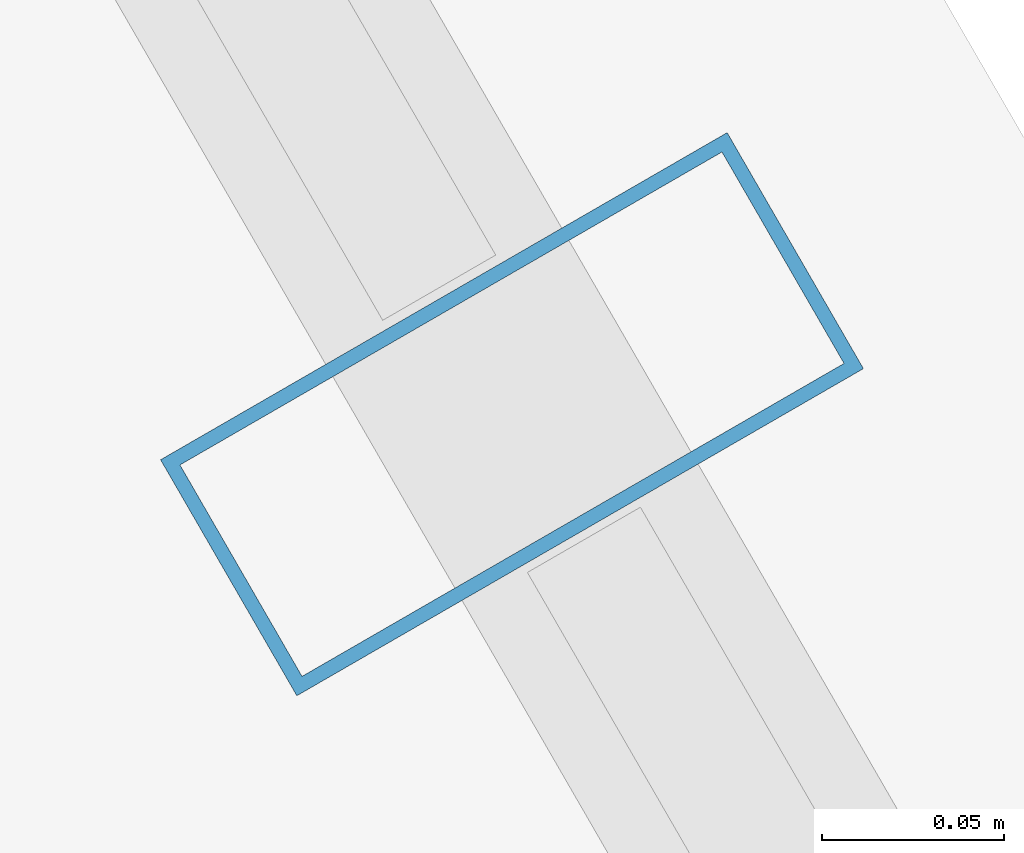
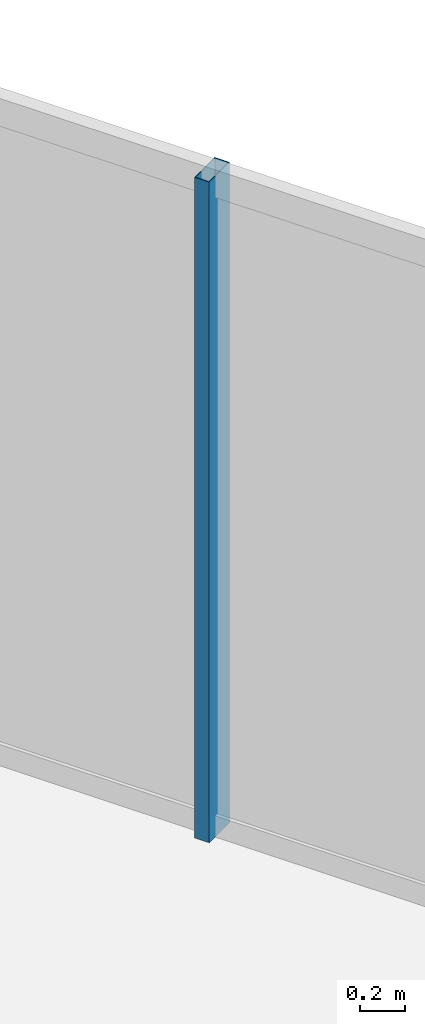
# One storey, part 20 of 33: 1 member, 1 element without a shape of its own.
"""IFC4 building model written with IfcOpenShell, lengths in metres."""

import ifcopenshell
import ifcopenshell.guid

model = None  # the IFC model being written
_history = None  # IfcOwnerHistory: only IFC2X3 demands one
_inside = {}  # id of a spatial element -> (the spatial element, [elements in it])
_under = {}  # id of a project, library or spatial element -> (it, [spatial elements below it])
_declared = {}  # id of a project -> (the project, [libraries it declares])
_typed = {}  # id of a type object -> (the type object, [elements of that type])
_made_of = {}  # id of a material, layer set ... -> (it, [elements and type objects made of it])


def new_model(schema):
    """Start an empty IFC model of exactly this schema.

    Asked for "IFC4X3", IfcOpenShell would pick the latest addendum, in which some entities
    have other attributes; the version numbers below select the first issue.
    IFC2X3 requires an IfcOwnerHistory on every rooted entity: one is made here for all.
    """
    global model, _history
    if schema == "IFC4X3":
        model = ifcopenshell.file(schema_version=(4, 3, 0, 0))
    else:
        model = ifcopenshell.file(schema=schema)
    _inside.clear()
    _under.clear()
    _declared.clear()
    _typed.clear()
    _made_of.clear()
    _history = None
    if model.schema == "IFC2X3":
        org = make("IfcOrganization", Name="unknown")
        user = make(
            "IfcPersonAndOrganization",
            ThePerson=make("IfcPerson", FamilyName="unknown"),
            TheOrganization=org,
        )
        app = make(
            "IfcApplication",
            ApplicationDeveloper=org,
            Version="unknown",
            ApplicationFullName="unknown",
            ApplicationIdentifier="unknown",
        )
        _history = make(
            "IfcOwnerHistory",
            OwningUser=user,
            OwningApplication=app,
            ChangeAction="ADDED",
            CreationDate=0,
        )
    return model


def make(cls, **values):
    """One entity of the class cls with the attributes given. An attribute that is None is left unset."""
    return model.create_entity(
        cls, **{name: value for name, value in values.items() if value is not None}
    )


def rooted(cls, **values):
    """An entity with a GlobalId (a new one), such as an element, a storey or a relation."""
    return make(cls, GlobalId=ifcopenshell.guid.new(), OwnerHistory=_history, **values)


def si_unit(unit_type, name, prefix=None):
    """IfcSIUnit, for example si_unit("LENGTHUNIT", "METRE", prefix="MILLI")."""
    return make("IfcSIUnit", UnitType=unit_type, Prefix=prefix, Name=name)


def assignment(units):
    """IfcUnitAssignment: the units of a project."""
    return None if units is None else make("IfcUnitAssignment", Units=units)


def point(xyz):
    """IfcCartesianPoint."""
    return None if xyz is None else make("IfcCartesianPoint", Coordinates=xyz)


def direction(xyz):
    """IfcDirection."""
    return None if xyz is None else make("IfcDirection", DirectionRatios=xyz)


def frame(location, z_axis=None, x_axis=None):
    """IfcAxis2Placement3D, a coordinate frame: its origin and axes. An axis left out is left unset."""
    return make(
        "IfcAxis2Placement3D",
        Location=point(location),
        Axis=direction(z_axis),
        RefDirection=direction(x_axis),
    )


def frame_2d(location, x_axis=None):
    """IfcAxis2Placement2D, a coordinate frame in the plane: its origin and x axis."""
    return make(
        "IfcAxis2Placement2D", Location=point(location), RefDirection=direction(x_axis)
    )


def origin():
    """The frame at (0, 0, 0) with its axes left unset."""
    return frame((0.0, 0.0, 0.0))


def origin_2d():
    """The frame at (0, 0) in the plane with its x axis left unset."""
    return frame_2d((0.0, 0.0))


def place(relative_to, where):
    """IfcLocalPlacement: puts the frame where relative to a parent placement (None: the world)."""
    return make(
        "IfcLocalPlacement", PlacementRelTo=relative_to, RelativePlacement=where
    )


def context(
    kind, dimensions, precision=None, world=None, true_north=None, identifier=None
):
    """IfcGeometricRepresentationContext, for example the 3D "Model" context."""
    return make(
        "IfcGeometricRepresentationContext",
        ContextIdentifier=identifier,
        ContextType=kind,
        CoordinateSpaceDimension=dimensions,
        Precision=precision,
        WorldCoordinateSystem=world,
        TrueNorth=true_north,
    )


def subcontext(parent, identifier, kind, view, scale=None):
    """IfcGeometricRepresentationSubContext, for example "Body" below "Model"."""
    return make(
        "IfcGeometricRepresentationSubContext",
        ContextIdentifier=identifier,
        ContextType=kind,
        ParentContext=parent,
        TargetScale=scale,
        TargetView=view,
    )


def project(units=None, contexts=None):
    """IfcProject with its units and contexts."""
    return rooted(
        "IfcProject",
        Name="project",
        RepresentationContexts=contexts,
        UnitsInContext=assignment(units),
    )


def spatial(cls, under=None, at=None, **own):
    """A site, building, storey or space (cls), placed at a placement, below another one or the project."""
    s = rooted(cls, ObjectPlacement=at, **own)
    if under is not None:
        _under.setdefault(under.id(), (under, []))[1].append(s)
    return s


def profile(cls, at=None, kind="AREA", **sizes):
    """A parametric profile (cls). Its sizes go by their IFC names, for example OverallWidth=200.0."""
    return make(cls, ProfileType=kind, Position=at, **sizes)


def hollow_rectangle(**sizes):
    """IfcRectangleHollowProfileDef."""
    return profile("IfcRectangleHollowProfileDef", **sizes)


def extrude(swept, where, along, depth):
    """IfcExtrudedAreaSolid: the profile swept, set in the frame where, extruded along a direction by depth."""
    return make(
        "IfcExtrudedAreaSolid",
        SweptArea=swept,
        Position=where,
        ExtrudedDirection=direction(along),
        Depth=depth,
    )


def shape(context_of_items, identifier, shape_type, items):
    """IfcShapeRepresentation: the items that make up one representation, for example the "Body"."""
    return make(
        "IfcShapeRepresentation",
        ContextOfItems=context_of_items,
        RepresentationIdentifier=identifier,
        RepresentationType=shape_type,
        Items=items,
    )


def material(Name=None, Category=None):
    """IfcMaterial."""
    return make("IfcMaterial", Name=Name, Category=Category)


def layer(
    of_material, thickness, ventilated=None, Name=None, Category=None, Priority=None
):
    """IfcMaterialLayer: one layer of a wall or slab, of a material (None: an air gap)."""
    return make(
        "IfcMaterialLayer",
        Material=of_material,
        LayerThickness=thickness,
        IsVentilated=ventilated,
        Name=Name,
        Category=Category,
        Priority=Priority,
    )


def layer_set(layers, Name=None):
    """IfcMaterialLayerSet."""
    return make("IfcMaterialLayerSet", MaterialLayers=layers, LayerSetName=Name)


def material_profile(
    of_material, cross_section, Name=None, Category=None, Priority=None
):
    """IfcMaterialProfile: a cross section and its material."""
    return make(
        "IfcMaterialProfile",
        Name=Name,
        Material=of_material,
        Profile=cross_section,
        Priority=Priority,
        Category=Category,
    )


def profile_set(profiles, Name=None, composite=None):
    """IfcMaterialProfileSet."""
    return make(
        "IfcMaterialProfileSet",
        Name=Name,
        MaterialProfiles=profiles,
        CompositeProfile=composite,
    )


def made_of(thing, what):
    """Note that an element or type object is made of a material, layer set ...; save() writes the relation."""
    if what is not None:
        _made_of.setdefault(what.id(), (what, []))[1].append(thing)
    return thing


def type_object(cls, material=None, **own):
    """A type object (cls), such as IfcWallType, which elements share."""
    return made_of(rooted(cls, **own), material)


def element(
    cls,
    number,
    at=None,
    inside=None,
    cuts=None,
    type_object=None,
    material=None,
    context=None,
    identifier="Body",
    shape_type=None,
    held_by="IfcProductDefinitionShape",
    body=None,
    shapes=None,
    **own,
):
    """One element of the class cls, such as IfcWall. Its Tag is "e" and its number.

    at: its placement. inside: the storey or other place that contains it. cuts: it is an
    opening in that element (IfcRelVoidsElement). A single representation is given by context,
    identifier, shape_type and body (its items); several are given by shapes. held_by: the class
    of the entity that holds the representations. save() writes the other relations.
    """
    e = rooted(cls, Tag="e%d" % number, ObjectPlacement=at, **own)
    if body is not None:
        shapes = [shape(context, identifier, shape_type, body)]
    if shapes is not None:
        e.Representation = make(held_by, Representations=shapes)
    if inside is not None:
        _inside.setdefault(inside.id(), (inside, []))[1].append(e)
    if cuts is not None:
        rooted(
            "IfcRelVoidsElement", RelatingBuildingElement=cuts, RelatedOpeningElement=e
        )
    if type_object is not None:
        _typed.setdefault(type_object.id(), (type_object, []))[1].append(e)
    return made_of(e, material)


def aggregate(whole, parts):
    """IfcRelAggregates: a whole, such as a stair, and the parts it consists of."""
    return rooted("IfcRelAggregates", RelatingObject=whole, RelatedObjects=parts)


def save(model, path):
    """Write the relations noted so far, then the file.

    IfcRelAggregates (storeys below a building ...), IfcRelContainedInSpatialStructure (elements
    in a storey), IfcRelDefinesByType, IfcRelAssociatesMaterial and IfcRelDeclares: one each for
    every whole, place, type object, material and project.
    """
    for whole, parts in _under.values():
        aggregate(whole, parts)
    for where, things in _inside.values():
        rooted(
            "IfcRelContainedInSpatialStructure",
            RelatedElements=things,
            RelatingStructure=where,
        )
    for kind, things in _typed.values():
        rooted("IfcRelDefinesByType", RelatedObjects=things, RelatingType=kind)
    for what, things in _made_of.values():
        rooted("IfcRelAssociatesMaterial", RelatedObjects=things, RelatingMaterial=what)
    for by, libraries in _declared.values():
        rooted("IfcRelDeclares", RelatingContext=by, RelatedDefinitions=libraries)
    model.write(path)


model = new_model("IFC4")

# Units and contexts
model_context = context("Model", 3, precision=1e-05, world=origin(), true_north=direction((0.0, 1.0)))
body_context = subcontext(model_context, "Body", "Model", "MODEL_VIEW")
ifc_project = project(units=[si_unit("LENGTHUNIT", "METRE"), si_unit("AREAUNIT", "SQUARE_METRE"), si_unit("VOLUMEUNIT", "CUBIC_METRE"), si_unit("PLANEANGLEUNIT", "RADIAN"), si_unit("MASSUNIT", "GRAM", prefix="KILO")], contexts=[model_context])

# Site, building, storey
site_placement = place(None, origin())
site = spatial("IfcSite", under=ifc_project, at=site_placement, CompositionType="ELEMENT")
building_placement = place(site_placement, origin())
building = spatial("IfcBuilding", under=site, at=building_placement, Name="Ndaravel Arena Tower", CompositionType="ELEMENT")
storey_placement = place(building_placement, frame((0.0, 0.0, 168.800048828125)))
storey = spatial("IfcBuildingStorey", under=building, at=storey_placement, Name="L40", CompositionType="ELEMENT", Elevation=168.800048828125)

# Curtain wall, member
ifc_material_1 = material(Name="Aluminium", Category="aluminium")
ifc_layer = layer(ifc_material_1, 0.179931640625)
ifc_layer_set = layer_set([ifc_layer], Name="Aluminium")
curtain_wall_type = type_object("IfcCurtainWallType", Name="CW-SYS-03", PredefinedType="NOTDEFINED", material=ifc_layer_set)
curtain_wall_placement = place(storey_placement, origin())
curtain_wall = element("IfcCurtainWall", 1, at=curtain_wall_placement, inside=storey, type_object=curtain_wall_type, Name="L40 Faceted Crystal Curtain Wall CW-L40-E03", PredefinedType="NOTDEFINED")
ifc_material_2 = material(Name="Aluminium", Category="aluminium")
ifc_material_profile = material_profile(ifc_material_2, hollow_rectangle(XDim=0.074951171875, YDim=0.179931640625, WallThickness=0.00390625, at=origin_2d()), Name="CW MULLION 75x180x4")
ifc_profile_set = profile_set([ifc_material_profile], Name="Aluminium")
member_type = type_object("IfcMemberType", Name="MEM-CW-MUL180", PredefinedType="MULLION", material=ifc_profile_set)
member_placement = place(storey_placement, frame((54.201416015625, 34.256591796875, 0.0), z_axis=(0.0, 0.0, 1.0), x_axis=(-0.5, 0.866025403784, 0.0)))
member = element("IfcMember", 2, at=member_placement, type_object=member_type, Name="CW-L40-E03 Mullion 05", PredefinedType="MULLION", context=body_context, shape_type="SweptSolid", body=[
    extrude(hollow_rectangle(XDim=0.074951171875, YDim=0.179931640625, WallThickness=0.00390625, at=origin_2d()), origin(), (0.0, 0.0, 1.0), 3.579833984375),
])
aggregate(curtain_wall, [member])

save(model, "model.ifc")
